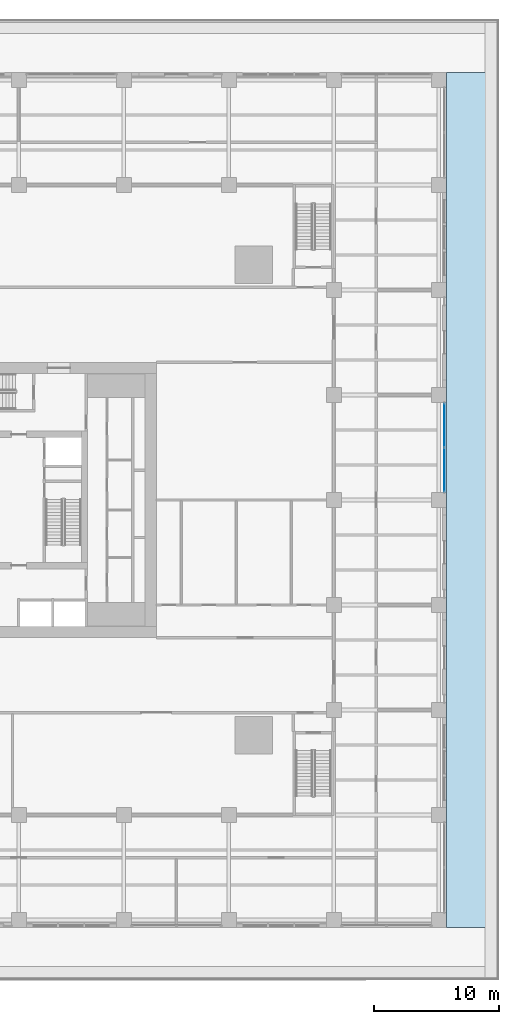
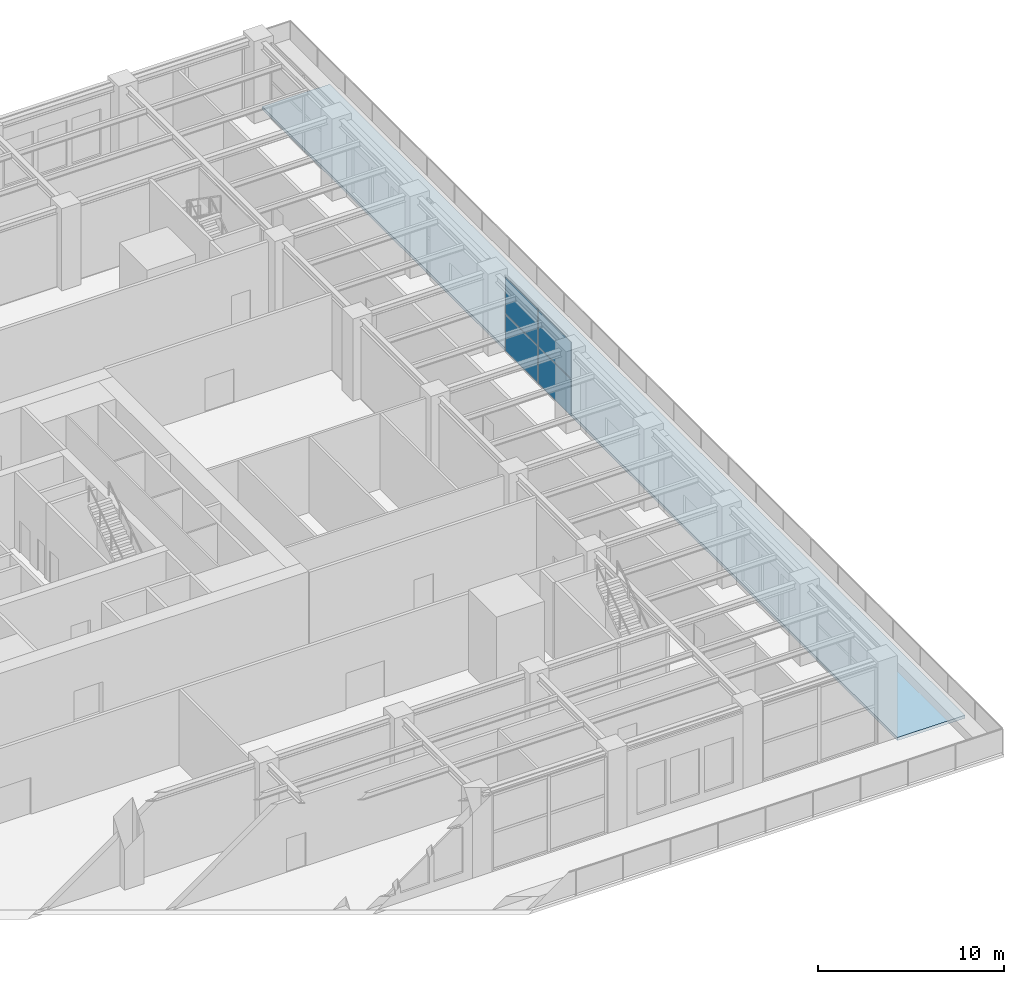
# One storey, part 18 of 36: 4 plates, 1 slab, 1 element without a shape of its own.
"""IFC4 building model written with IfcOpenShell, lengths in metres."""

from ifc_helpers import new_model, si_unit, direction, frame, origin, origin_2d, place, context, subcontext, project, spatial, polyline, rectangle, outline, extrude, material, layer, layer_set, type_object, element, aggregate, save


model = new_model("IFC4")

# Units and contexts
model_context = context("Model", 3, precision=1e-05, world=origin(), true_north=direction((0.0, 1.0)))
body_context = subcontext(model_context, "Body", "Model", "MODEL_VIEW")
ifc_project = project(units=[si_unit("LENGTHUNIT", "METRE"), si_unit("AREAUNIT", "SQUARE_METRE"), si_unit("VOLUMEUNIT", "CUBIC_METRE"), si_unit("PLANEANGLEUNIT", "RADIAN"), si_unit("MASSUNIT", "GRAM", prefix="KILO")], contexts=[model_context])

# Site, building, storey
site_placement = place(None, origin())
site = spatial("IfcSite", under=ifc_project, at=site_placement, CompositionType="ELEMENT")
building_placement = place(site_placement, origin())
building = spatial("IfcBuilding", under=site, at=building_placement, Name="Khepri Terraces", CompositionType="ELEMENT")
storey_placement = place(building_placement, frame((0.0, 0.0, 16.800048828125)))
storey = spatial("IfcBuildingStorey", under=building, at=storey_placement, Name="L03", CompositionType="ELEMENT", Elevation=16.800048828125)

# Curtain wall, plates
ifc_material_1 = material(Name="Anodised aluminium bronze curtain wall", Category="aluminium")
curtain_wall_type = type_object("IfcCurtainWallType", Name="CW-SYS5-BALLROOM", PredefinedType="NOTDEFINED", material=ifc_material_1)
curtain_wall_placement = place(storey_placement, origin())
curtain_wall = element("IfcCurtainWall", 1, at=curtain_wall_placement, inside=storey, type_object=curtain_wall_type, Name="Curtain wall CW5 L03 E", PredefinedType="NOTDEFINED")
ifc_material_2 = material(Name="Clear glass", Category="glass")
ifc_layer_1 = layer(ifc_material_2, 0.035888671875, Name="Clear glass", Category="glass")
ifc_layer_set_1 = layer_set([ifc_layer_1], Name="Clear glass")
plate_type = type_object("IfcPlateType", Name="CW-PANEL-VISION-36", PredefinedType="CURTAIN_PANEL", material=ifc_layer_set_1)
plate_1_placement = place(storey_placement, frame((34.050048828125, 2.419921875, 0.079833984375), z_axis=(0.0, 0.0, 1.0), x_axis=(0.0, 1.0, 0.0)))
plate_1 = element("IfcPlate", 2, at=plate_1_placement, type_object=plate_type, Name="CW5 panel 1.1", PredefinedType="CURTAIN_PANEL", context=body_context, shape_type="SweptSolid", body=[
    extrude(rectangle(XDim=3.47998046875, YDim=0.035888671875, at=origin_2d()), origin(), (0.0, 0.0, 1.0), 2.3701171875),
])
plate_2_placement = place(storey_placement, frame((34.050048828125, 2.419921875, 2.52978515625), z_axis=(0.0, 0.0, 1.0), x_axis=(0.0, 1.0, 0.0)))
plate_2 = element("IfcPlate", 3, at=plate_2_placement, type_object=plate_type, Name="CW5 panel 1.2", PredefinedType="CURTAIN_PANEL", context=body_context, shape_type="SweptSolid", body=[
    extrude(rectangle(XDim=3.47998046875, YDim=0.035888671875, at=origin_2d()), origin(), (0.0, 0.0, 1.0), 2.3701171875),
])
plate_3_placement = place(storey_placement, frame((34.050048828125, 5.97998046875, 0.079833984375), z_axis=(0.0, 0.0, 1.0), x_axis=(0.0, 1.0, 0.0)))
plate_3 = element("IfcPlate", 4, at=plate_3_placement, type_object=plate_type, Name="CW5 panel 2.1", PredefinedType="CURTAIN_PANEL", context=body_context, shape_type="SweptSolid", body=[
    extrude(rectangle(XDim=3.47998046875, YDim=0.035888671875, at=origin_2d()), origin(), (0.0, 0.0, 1.0), 2.3701171875),
])
plate_4_placement = place(storey_placement, frame((34.050048828125, 5.97998046875, 2.52978515625), z_axis=(0.0, 0.0, 1.0), x_axis=(0.0, 1.0, 0.0)))
plate_4 = element("IfcPlate", 5, at=plate_4_placement, type_object=plate_type, Name="CW5 panel 2.2", PredefinedType="CURTAIN_PANEL", context=body_context, shape_type="SweptSolid", body=[
    extrude(rectangle(XDim=3.47998046875, YDim=0.035888671875, at=origin_2d()), origin(), (0.0, 0.0, 1.0), 2.3701171875),
])
aggregate(curtain_wall, [plate_1, plate_2, plate_3, plate_4])

# Slab
ifc_material_3 = material(Name="Concrete C35/45", Category="concrete")
ifc_layer_2 = layer(ifc_material_3, 0.199951171875, Name="Concrete C35/45", Category="concrete")
ifc_layer_set_2 = layer_set([ifc_layer_2], Name="Concrete C35/45")
slab_type = type_object("IfcSlabType", Name="Composite terrace slab 200", PredefinedType="ROOF", material=ifc_layer_set_2)
slab_placement = place(storey_placement, frame((0.0, 0.0, -0.199951171875)))
element("IfcSlab", 6, at=slab_placement, inside=storey, type_object=slab_type, Name="Terrace slab L03-podium-1", PredefinedType="ROOF", context=body_context, shape_type="SweptSolid", body=[
    extrude(outline(polyline([(38.39990234375, -34.199951171875), (34.199951171875, -34.199951171875), (34.199951171875, 34.199951171875), (38.39990234375, 34.199951171875), (38.39990234375, -34.199951171875)])), origin(), (0.0, 0.0, 1.0), 0.199951171875),
])

save(model, "model.ifc")
